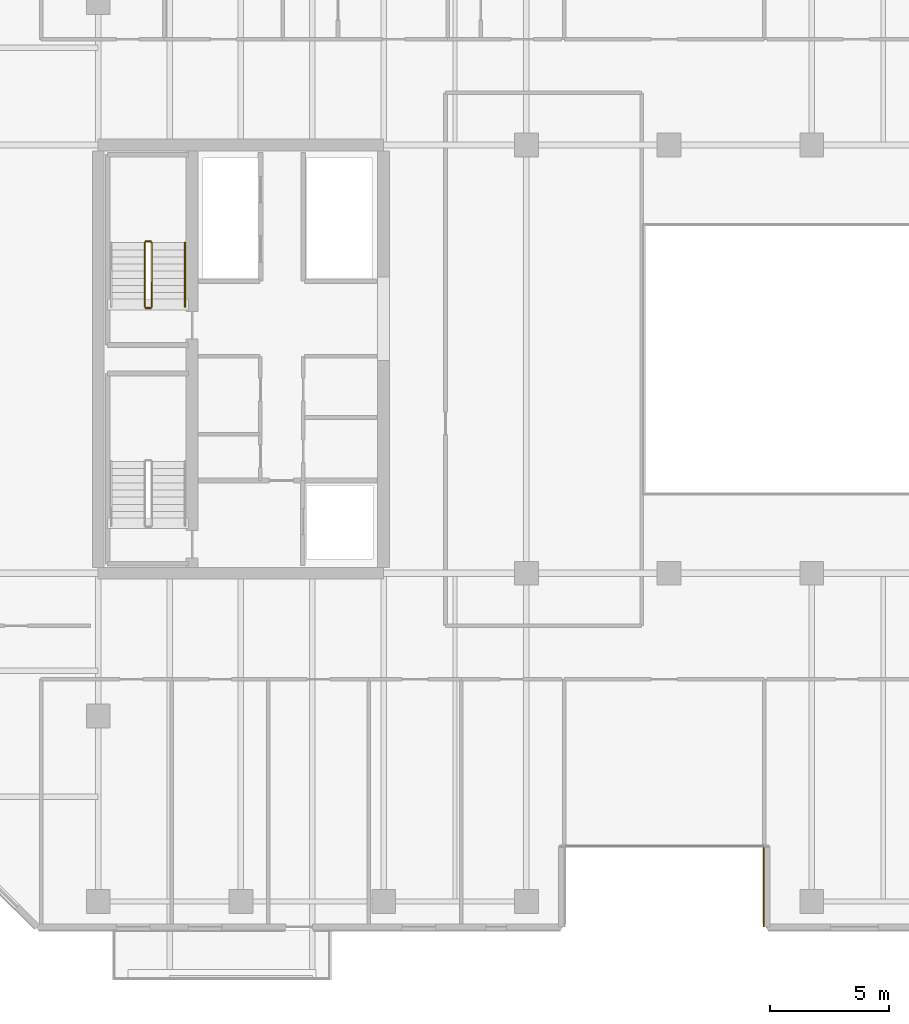
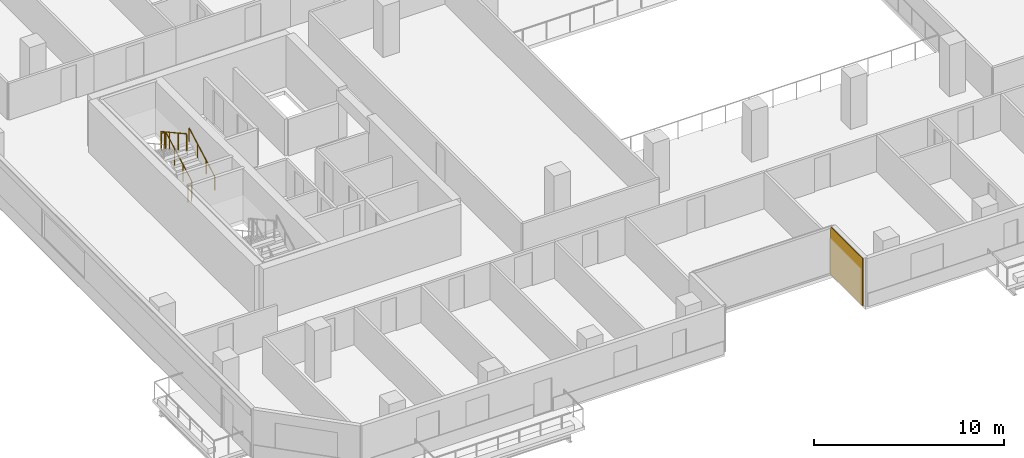
# One storey, part 20 of 23: 5 railings, 1 covering.
"""IFC4 building model written with IfcOpenShell, lengths in metres."""

from ifc_helpers import new_model, si_unit, direction, frame, origin, origin_2d, place, context, subcontext, project, spatial, rectangle, extrude, material, layer, layer_set, type_object, element, save


model = new_model("IFC4")

# Units and contexts
model_context = context("Model", 3, precision=1e-05, world=origin(), true_north=direction((0.0, 1.0)))
body_context = subcontext(model_context, "Body", "Model", "MODEL_VIEW")
ifc_project = project(units=[si_unit("LENGTHUNIT", "METRE"), si_unit("AREAUNIT", "SQUARE_METRE"), si_unit("VOLUMEUNIT", "CUBIC_METRE"), si_unit("PLANEANGLEUNIT", "RADIAN"), si_unit("MASSUNIT", "GRAM", prefix="KILO")], contexts=[model_context])

# Site, building, storey
site_placement = place(None, origin())
site = spatial("IfcSite", under=ifc_project, at=site_placement, CompositionType="ELEMENT")
building_placement = place(site_placement, origin())
building = spatial("IfcBuilding", under=site, at=building_placement, Name="Tanjung Sevakor Pilgrim Tower", CompositionType="ELEMENT")
storey_placement = place(building_placement, frame((0.0, 0.0, 101.969970703125)))
storey = spatial("IfcBuildingStorey", under=building, at=storey_placement, Name="L28", CompositionType="ELEMENT", Elevation=101.969970703125)

# Covering
ifc_material_1 = material(Name="Reconstructed Limestone Cladding", Category="masonry")
ifc_layer = layer(ifc_material_1, 0.044921875)
ifc_layer_set = layer_set([ifc_layer], Name="COV-CLAD-LIMESTONE")
covering_type = type_object("IfcCoveringType", Name="COV-CLAD-LIMESTONE", PredefinedType="CLADDING", material=ifc_layer_set)
covering_placement = place(storey_placement, frame((51.9775390625, 11.425048828125, 0.02001953125), z_axis=(0.0, 0.0, 1.0), x_axis=(0.0, -1.0, 0.0)))
element("IfcCovering", 1, at=covering_placement, inside=storey, type_object=covering_type, Name="L28 Warm Limestone Wall Cladding EW-L28-MAIN-4", PredefinedType="CLADDING", context=body_context, shape_type="SweptSolid", body=[
    extrude(rectangle(XDim=3.360107421875, YDim=0.044921875, at=origin_2d()), origin(), (0.0, 0.0, 1.0), 3.0400390625),
])

# Railings
ifc_material_2 = material(Name="Steel S355J2", Category="steel")
railing_type_1 = type_object("IfcRailingType", Name="RL-STAIR-GUARD", PredefinedType="GUARDRAIL", material=ifc_material_2)
railing_1_placement = place(storey_placement, frame((26.25, 35.800048828125, 0.1650390625)))
element("IfcRailing", 2, at=railing_1_placement, inside=storey, type_object=railing_type_1, Name="L28 TS-W2 stair guard 1", PredefinedType="GUARDRAIL", context=body_context, shape_type="SweptSolid", body=[
    extrude(rectangle(XDim=0.0479, YDim=0.0479), frame((0.0, 0.0, 1.076171875), z_axis=(0.0, 0.876197507361, 0.481952205197), x_axis=(-1.0, 0.0, 0.0)), (0.0, 0.0, 1.0), 3.08154296875),
    extrude(rectangle(XDim=0.042, YDim=0.042), origin(), (0.0, 0.0, 1.0), 1.052001953125),
    extrude(rectangle(XDim=0.042, YDim=0.042), frame((0.0, 0.89990234375, 0.4951171875)), (0.0, 0.0, 1.0), 1.052001953125),
    extrude(rectangle(XDim=0.042, YDim=0.042), frame((0.0, 1.800048828125, 0.989990234375)), (0.0, 0.0, 1.0), 1.052001953125),
    extrude(rectangle(XDim=0.042, YDim=0.042), frame((0.0, 2.699951171875, 1.485107421875)), (0.0, 0.0, 1.0), 1.052001953125),
])
railing_2_placement = place(storey_placement, frame((26.199951171875, 38.550048828125, 1.650146484375)))
element("IfcRailing", 3, at=railing_2_placement, inside=storey, type_object=railing_type_1, Name="L28 TS-W2 stair guard 2", PredefinedType="GUARDRAIL", context=body_context, shape_type="SweptSolid", body=[
    extrude(rectangle(XDim=0.0479, YDim=0.0479), frame((0.0, 0.0, 1.076171875), z_axis=(-1.0, 0.0, 0.0), x_axis=(0.0, -1.0, 0.0)), (0.0, 0.0, 1.0), 0.199951171875),
    extrude(rectangle(XDim=0.042, YDim=0.042), origin(), (0.0, 0.0, 1.0), 1.052001953125),
    extrude(rectangle(XDim=0.042, YDim=0.042), frame((-0.199951171875, 0.0, 0.0)), (0.0, 0.0, 1.0), 1.052001953125),
])
railing_3_placement = place(storey_placement, frame((25.949951171875, 38.5, 1.81494140625)))
element("IfcRailing", 4, at=railing_3_placement, inside=storey, type_object=railing_type_1, Name="L28 TS-W2 stair guard 3", PredefinedType="GUARDRAIL", context=body_context, shape_type="SweptSolid", body=[
    extrude(rectangle(XDim=0.0479, YDim=0.0479), frame((0.0, 0.0, 1.076171875), z_axis=(0.0, -0.876197507361, 0.481952205197), x_axis=(1.0, 0.0, 0.0)), (0.0, 0.0, 1.0), 3.08154296875),
    extrude(rectangle(XDim=0.042, YDim=0.042), origin(), (0.0, 0.0, 1.0), 1.052001953125),
    extrude(rectangle(XDim=0.042, YDim=0.042), frame((0.0, -0.89990234375, 0.4951171875)), (0.0, 0.0, 1.0), 1.052001953125),
    extrude(rectangle(XDim=0.042, YDim=0.042), frame((0.0, -1.800048828125, 0.989990234375)), (0.0, 0.0, 1.0), 1.052001953125),
    extrude(rectangle(XDim=0.042, YDim=0.042), frame((0.0, -2.699951171875, 1.485107421875)), (0.0, 0.0, 1.0), 1.052001953125),
])
railing_4_placement = place(storey_placement, frame((26.199951171875, 35.75, 0.0)))
element("IfcRailing", 5, at=railing_4_placement, inside=storey, type_object=railing_type_1, Name="L28 TS-W2 stair guard 4", PredefinedType="GUARDRAIL", context=body_context, shape_type="SweptSolid", body=[
    extrude(rectangle(XDim=0.0479, YDim=0.0479), frame((0.0, 0.0, 1.076171875), z_axis=(-1.0, 0.0, 0.0), x_axis=(0.0, -1.0, 0.0)), (0.0, 0.0, 1.0), 0.199951171875),
    extrude(rectangle(XDim=0.042, YDim=0.042), origin(), (0.0, 0.0, 1.0), 1.052001953125),
    extrude(rectangle(XDim=0.042, YDim=0.042), frame((-0.199951171875, 0.0, 0.0)), (0.0, 0.0, 1.0), 1.052001953125),
])
ifc_material_3 = material(Name="Steel S355J2", Category="steel")
railing_type_2 = type_object("IfcRailingType", Name="RL-STAIR-HAND", PredefinedType="HANDRAIL", material=ifc_material_3)
railing_5_placement = place(storey_placement, frame((27.64990234375, 35.800048828125, 0.1650390625)))
element("IfcRailing", 6, at=railing_5_placement, inside=storey, type_object=railing_type_2, Name="L28 TS-W2 stair handrail 1", PredefinedType="HANDRAIL", context=body_context, shape_type="SweptSolid", body=[
    extrude(rectangle(XDim=0.0479, YDim=0.0479), frame((0.0, 0.0, 0.8759765625), z_axis=(0.0, 0.876197507361, 0.481952205197), x_axis=(-1.0, 0.0, 0.0)), (0.0, 0.0, 1.0), 3.08154296875),
    extrude(rectangle(XDim=0.042, YDim=0.042), origin(), (0.0, 0.0, 1.0), 0.851806640625),
    extrude(rectangle(XDim=0.042, YDim=0.042), frame((0.0, 0.89990234375, 0.4951171875)), (0.0, 0.0, 1.0), 0.851806640625),
    extrude(rectangle(XDim=0.042, YDim=0.042), frame((0.0, 1.800048828125, 0.989990234375)), (0.0, 0.0, 1.0), 0.851806640625),
    extrude(rectangle(XDim=0.042, YDim=0.042), frame((0.0, 2.699951171875, 1.485107421875)), (0.0, 0.0, 1.0), 0.851806640625),
])

save(model, "model.ifc")
